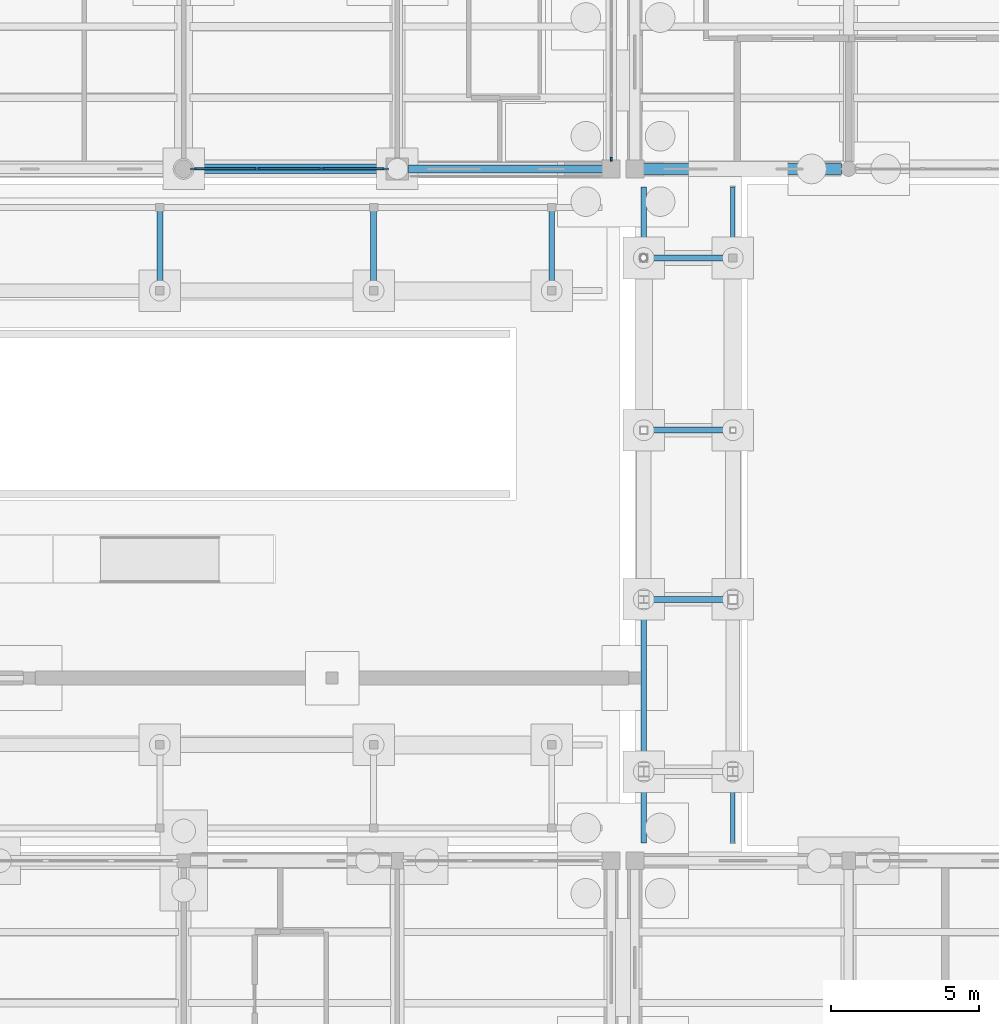
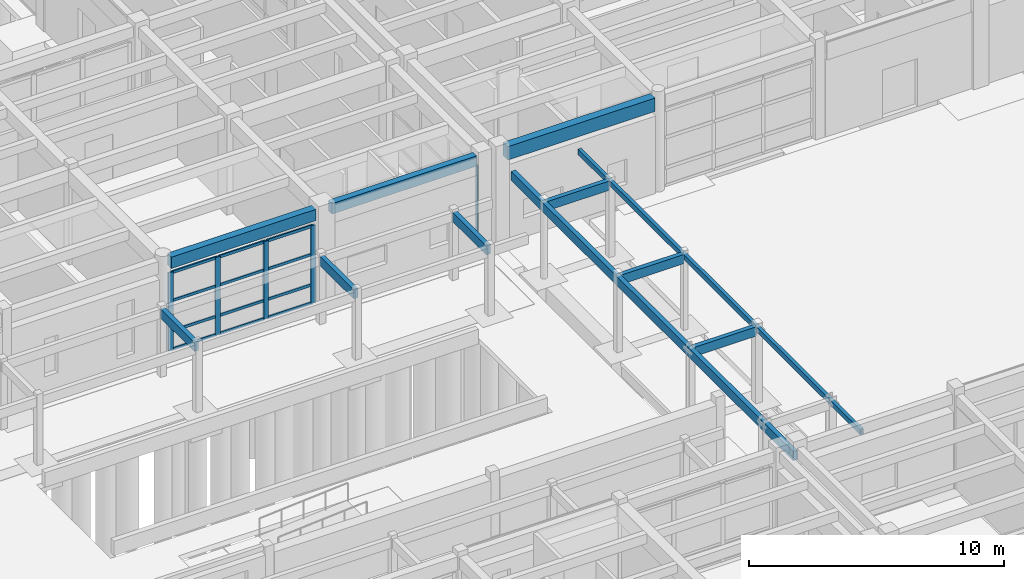
# One storey, part 55 of 143: 17 members, 11 beams, 2 elements without a shape of their own.
"""IFC4 building model written with IfcOpenShell, lengths in metres."""

from ifc_helpers import new_model, si_unit, direction, frame, origin, origin_2d, place, context, subcontext, project, spatial, rectangle, hollow_rectangle, extrude, material, material_profile, profile_set, type_object, element, aggregate, save


model = new_model("IFC4")

# Units and contexts
model_context = context("Model", 3, precision=1e-05, world=origin(), true_north=direction((0.0, 1.0)))
body_context = subcontext(model_context, "Body", "Model", "MODEL_VIEW")
ifc_project = project(units=[si_unit("LENGTHUNIT", "METRE"), si_unit("AREAUNIT", "SQUARE_METRE"), si_unit("VOLUMEUNIT", "CUBIC_METRE"), si_unit("PLANEANGLEUNIT", "RADIAN"), si_unit("MASSUNIT", "GRAM", prefix="KILO")], contexts=[model_context])

# Site, building, storey
site_placement = place(None, origin())
site = spatial("IfcSite", under=ifc_project, at=site_placement, CompositionType="ELEMENT")
building_placement = place(site_placement, origin())
building = spatial("IfcBuilding", under=site, at=building_placement, Name="Steenspoor Specialist Clinic", CompositionType="ELEMENT")
storey_placement = place(building_placement, origin())
storey = spatial("IfcBuildingStorey", under=building, at=storey_placement, Name="L00", CompositionType="ELEMENT", Elevation=0.0)

# Beams
ifc_material_1 = material(Name="Glulam GL28h", Category="wood")
ifc_material_profile_1 = material_profile(ifc_material_1, rectangle(XDim=0.199951171875, YDim=0.43994140625, at=origin_2d()), Name="GL28H-200X440")
ifc_profile_set_1 = profile_set([ifc_material_profile_1], Name="Glulam GL28h")
beam_type_1 = type_object("IfcBeamType", Name="BM-GL-200X440", PredefinedType="BEAM", material=ifc_profile_set_1)
beam_1_placement = place(storey_placement, frame((118.300048828125, 42.449951171875, 3.4150390625), z_axis=(0.0, 1.0, 0.0), x_axis=(-1.0, 0.0, 0.0)))
element("IfcBeam", 1, at=beam_1_placement, inside=storey, type_object=beam_type_1, Name="BM-WK2-CONT-0", PredefinedType="BEAM", context=body_context, shape_type="SweptSolid", body=[
    extrude(rectangle(XDim=0.199951171875, YDim=0.43994140625, at=origin_2d()), origin(), (0.0, 0.0, 1.0), 22.10009765625),
])
for number, where, z_axis, x_axis, name in (
    (2, (118.3798828125, 50.64990234375, 3.4150390625), (1.0, 0.0, 0.0), (0.0, 1.0, 0.0), "BM-WK2-T-506"),
    (3, (118.3798828125, 56.35009765625, 3.4150390625), (1.0, 0.0, 0.0), (0.0, 1.0, 0.0), "BM-WK2-T-563"),
    (4, (118.3798828125, 62.14990234375, 3.4150390625), (1.0, 0.0, 0.0), (0.0, 1.0, 0.0), "BM-WK2-T-621"),
):
    element("IfcBeam", number, at=place(storey_placement, frame(where, z_axis=z_axis, x_axis=x_axis)), inside=storey, type_object=beam_type_1, Name=name, PredefinedType="BEAM", context=body_context, shape_type="SweptSolid", body=[
        extrude(rectangle(XDim=0.199951171875, YDim=0.43994140625, at=origin_2d()), origin(), (0.0, 0.0, 1.0), 2.840087890625),
    ])
for number, where, z_axis, x_axis, name in (
    (5, (102.0, 61.1298828125, 3.014892578125), (0.0, 1.0, 0.0), (-1.0, 0.0, 0.0), "BM-WK4-T-1020"),
    (6, (109.199951171875, 61.1298828125, 3.014892578125), (0.0, 1.0, 0.0), (-1.0, 0.0, 0.0), "BM-WK4-T-1092"),
    (7, (115.199951171875, 61.1298828125, 3.014892578125), (0.0, 1.0, 0.0), (-1.0, 0.0, 0.0), "BM-WK4-T-1152"),
):
    element("IfcBeam", number, at=place(storey_placement, frame(where, z_axis=z_axis, x_axis=x_axis)), inside=storey, type_object=beam_type_1, Name=name, PredefinedType="BEAM", context=body_context, shape_type="SweptSolid", body=[
        extrude(rectangle(XDim=0.199951171875, YDim=0.43994140625, at=origin_2d()), origin(), (0.0, 0.0, 1.0), 2.64013671875),
    ])
ifc_material_2 = material(Name="Steel A500 Grade C", Category="steel")
ifc_material_profile_2 = material_profile(ifc_material_2, hollow_rectangle(XDim=0.15234375, YDim=0.25390625, WallThickness=0.0087890625, at=origin_2d()), Name="HSS254X152X9.5")
ifc_profile_set_2 = profile_set([ifc_material_profile_2], Name="Steel A500 Grade C")
beam_type_2 = type_object("IfcBeamType", Name="BM-ST-HSS254", PredefinedType="SPANDREL", material=ifc_profile_set_2)
beam_2_placement = place(storey_placement, frame((121.300048828125, 42.449951171875, 3.508056640625), z_axis=(0.0, 1.0, 0.0), x_axis=(-1.0, 0.0, 0.0)))
element("IfcBeam", 8, at=beam_2_placement, inside=storey, type_object=beam_type_2, Name="BM-WK2-CONT-1", PredefinedType="SPANDREL", context=body_context, shape_type="SweptSolid", body=[
    extrude(hollow_rectangle(XDim=0.15234375, YDim=0.25390625, WallThickness=0.0087890625, at=origin_2d()), origin(), (0.0, 0.0, 1.0), 22.10009765625),
])

# Curtain wall, member
ifc_material_3 = material(Name="Thermally broken aluminium and low-emissivity glass", Category="aluminium")
curtain_wall_type_1 = type_object("IfcCurtainWallType", Name="CW-L00-660X415", PredefinedType="USERDEFINED", material=ifc_material_3)
curtain_wall_1_placement = place(storey_placement, origin())
curtain_wall_1 = element("IfcCurtainWall", 9, at=curtain_wall_1_placement, inside=storey, type_object=curtain_wall_type_1, Name="Unitised Curtain Wall CW-V4-L00-052", ObjectType="UNITISED GLAZING", PredefinedType="USERDEFINED")
ifc_material_4 = material(Name="Thermally broken aluminium 6063-T6", Category="aluminium")
ifc_material_profile_3 = material_profile(ifc_material_4, rectangle(XDim=0.06005859375, YDim=0.135009765625, at=origin_2d()), Name="CWM-60X135")
ifc_profile_set_3 = profile_set([ifc_material_profile_3], Name="Thermally broken aluminium 6063-T6")
member_type_1 = type_object("IfcMemberType", Name="CW-MULL-60X135", PredefinedType="MULLION", material=ifc_profile_set_3)
member_1_placement = place(storey_placement, frame((117.199951171875, 65.47998046875, 0.0), z_axis=(0.0, 0.0, 1.0), x_axis=(1.0, 0.0, 0.0)))
member_1 = element("IfcMember", 10, at=member_1_placement, type_object=member_type_1, Name="CW-04 mullion 4", PredefinedType="MULLION", context=body_context, shape_type="SweptSolid", body=[
    extrude(rectangle(XDim=0.06005859375, YDim=0.135009765625, at=origin_2d()), origin(), (0.0, 0.0, 1.0), 3.72998046875),
])
aggregate(curtain_wall_1, [member_1])

# Curtain wall, members
curtain_wall_type_2 = type_object("IfcCurtainWallType", Name="CW-SCR-480X320", PredefinedType="USERDEFINED", material=ifc_material_3)
curtain_wall_2_placement = place(storey_placement, origin())
curtain_wall_2 = element("IfcCurtainWall", 11, at=curtain_wall_2_placement, inside=storey, type_object=curtain_wall_type_2, Name="Unitised Curtain Wall CW-V4-L00-042", ObjectType="UNITISED GLAZING", PredefinedType="USERDEFINED")
ifc_material_profile_4 = material_profile(ifc_material_4, rectangle(XDim=0.080078125, YDim=0.219970703125, at=origin_2d()), Name="CWM-80X220")
ifc_profile_set_4 = profile_set([ifc_material_profile_4], Name="Thermally broken aluminium 6063-T6")
member_type_2 = type_object("IfcMemberType", Name="CW-MULL-80X220", PredefinedType="MULLION", material=ifc_profile_set_4)
member_2_placement = place(storey_placement, frame((109.5849609375, 65.14990234375, 0.0), z_axis=(0.0, 0.0, 1.0), x_axis=(0.0, -1.0, 0.0)))
member_2 = element("IfcMember", 12, at=member_2_placement, type_object=member_type_2, Name="CW-18 mullion 1", PredefinedType="MULLION", context=body_context, shape_type="SweptSolid", body=[
    extrude(rectangle(XDim=0.080078125, YDim=0.219970703125, at=origin_2d()), origin(), (0.0, 0.0, 1.0), 3.72998046875),
])
member_3_placement = place(storey_placement, frame((107.449951171875, 65.14990234375, 0.0), z_axis=(0.0, 0.0, 1.0), x_axis=(0.0, -1.0, 0.0)))
member_3 = element("IfcMember", 13, at=member_3_placement, type_object=member_type_2, Name="CW-18 mullion 2", PredefinedType="MULLION", context=body_context, shape_type="SweptSolid", body=[
    extrude(rectangle(XDim=0.080078125, YDim=0.219970703125, at=origin_2d()), origin(), (0.0, 0.0, 1.0), 3.72998046875),
])
member_4_placement = place(storey_placement, frame((105.27490234375, 65.14990234375, 0.0), z_axis=(0.0, 0.0, 1.0), x_axis=(0.0, -1.0, 0.0)))
member_4 = element("IfcMember", 14, at=member_4_placement, type_object=member_type_2, Name="CW-18 mullion 3", PredefinedType="MULLION", context=body_context, shape_type="SweptSolid", body=[
    extrude(rectangle(XDim=0.080078125, YDim=0.219970703125, at=origin_2d()), origin(), (0.0, 0.0, 1.0), 3.72998046875),
])
member_5_placement = place(storey_placement, frame((103.139892578125, 65.14990234375, 0.0), z_axis=(0.0, 0.0, 1.0), x_axis=(0.0, -1.0, 0.0)))
member_5 = element("IfcMember", 15, at=member_5_placement, type_object=member_type_2, Name="CW-18 mullion 4", PredefinedType="MULLION", context=body_context, shape_type="SweptSolid", body=[
    extrude(rectangle(XDim=0.080078125, YDim=0.219970703125, at=origin_2d()), origin(), (0.0, 0.0, 1.0), 3.72998046875),
])
ifc_material_profile_5 = material_profile(ifc_material_4, rectangle(XDim=0.06494140625, YDim=0.1298828125, at=origin_2d()), Name="CWT-65X130")
ifc_profile_set_5 = profile_set([ifc_material_profile_5], Name="Thermally broken aluminium 6063-T6")
member_type_3 = type_object("IfcMemberType", Name="CW-TRAN-65X130", PredefinedType="USERDEFINED", material=ifc_profile_set_5)
member_6_placement = place(storey_placement, frame((109.544921875, 65.14990234375, 0.032470703125), z_axis=(-1.0, 0.0, 0.0), x_axis=(0.0, -1.0, 0.0)))
member_6 = element("IfcMember", 16, at=member_6_placement, type_object=member_type_3, Name="CW-18 transom 1.1", ObjectType="TRANSOM", PredefinedType="USERDEFINED", context=body_context, shape_type="SweptSolid", body=[
    extrude(rectangle(XDim=0.06494140625, YDim=0.1298828125, at=origin_2d()), origin(), (0.0, 0.0, 1.0), 2.054931640625),
])
member_7_placement = place(storey_placement, frame((109.544921875, 65.14990234375, 0.89990234375), z_axis=(-1.0, 0.0, 0.0), x_axis=(0.0, -1.0, 0.0)))
member_7 = element("IfcMember", 17, at=member_7_placement, type_object=member_type_3, Name="CW-18 transom 1.2", ObjectType="TRANSOM", PredefinedType="USERDEFINED", context=body_context, shape_type="SweptSolid", body=[
    extrude(rectangle(XDim=0.06494140625, YDim=0.1298828125, at=origin_2d()), origin(), (0.0, 0.0, 1.0), 2.054931640625),
])
member_8_placement = place(storey_placement, frame((109.544921875, 65.14990234375, 2.35009765625), z_axis=(-1.0, 0.0, 0.0), x_axis=(0.0, -1.0, 0.0)))
member_8 = element("IfcMember", 18, at=member_8_placement, type_object=member_type_3, Name="CW-18 transom 1.3", ObjectType="TRANSOM", PredefinedType="USERDEFINED", context=body_context, shape_type="SweptSolid", body=[
    extrude(rectangle(XDim=0.06494140625, YDim=0.1298828125, at=origin_2d()), origin(), (0.0, 0.0, 1.0), 2.054931640625),
])
member_9_placement = place(storey_placement, frame((109.544921875, 65.14990234375, 3.697509765625), z_axis=(-1.0, 0.0, 0.0), x_axis=(0.0, -1.0, 0.0)))
member_9 = element("IfcMember", 19, at=member_9_placement, type_object=member_type_3, Name="CW-18 transom 1.4", ObjectType="TRANSOM", PredefinedType="USERDEFINED", context=body_context, shape_type="SweptSolid", body=[
    extrude(rectangle(XDim=0.06494140625, YDim=0.1298828125, at=origin_2d()), origin(), (0.0, 0.0, 1.0), 2.054931640625),
])
member_10_placement = place(storey_placement, frame((107.409912109375, 65.14990234375, 0.032470703125), z_axis=(-1.0, 0.0, 0.0), x_axis=(0.0, -1.0, 0.0)))
member_10 = element("IfcMember", 20, at=member_10_placement, type_object=member_type_3, Name="CW-18 transom 2.1", ObjectType="TRANSOM", PredefinedType="USERDEFINED", context=body_context, shape_type="SweptSolid", body=[
    extrude(rectangle(XDim=0.06494140625, YDim=0.1298828125, at=origin_2d()), origin(), (0.0, 0.0, 1.0), 2.094970703125),
])
member_11_placement = place(storey_placement, frame((107.409912109375, 65.14990234375, 0.89990234375), z_axis=(-1.0, 0.0, 0.0), x_axis=(0.0, -1.0, 0.0)))
member_11 = element("IfcMember", 21, at=member_11_placement, type_object=member_type_3, Name="CW-18 transom 2.2", ObjectType="TRANSOM", PredefinedType="USERDEFINED", context=body_context, shape_type="SweptSolid", body=[
    extrude(rectangle(XDim=0.06494140625, YDim=0.1298828125, at=origin_2d()), origin(), (0.0, 0.0, 1.0), 2.094970703125),
])
member_12_placement = place(storey_placement, frame((107.409912109375, 65.14990234375, 2.35009765625), z_axis=(-1.0, 0.0, 0.0), x_axis=(0.0, -1.0, 0.0)))
member_12 = element("IfcMember", 22, at=member_12_placement, type_object=member_type_3, Name="CW-18 transom 2.3", ObjectType="TRANSOM", PredefinedType="USERDEFINED", context=body_context, shape_type="SweptSolid", body=[
    extrude(rectangle(XDim=0.06494140625, YDim=0.1298828125, at=origin_2d()), origin(), (0.0, 0.0, 1.0), 2.094970703125),
])
member_13_placement = place(storey_placement, frame((107.409912109375, 65.14990234375, 3.697509765625), z_axis=(-1.0, 0.0, 0.0), x_axis=(0.0, -1.0, 0.0)))
member_13 = element("IfcMember", 23, at=member_13_placement, type_object=member_type_3, Name="CW-18 transom 2.4", ObjectType="TRANSOM", PredefinedType="USERDEFINED", context=body_context, shape_type="SweptSolid", body=[
    extrude(rectangle(XDim=0.06494140625, YDim=0.1298828125, at=origin_2d()), origin(), (0.0, 0.0, 1.0), 2.094970703125),
])
member_14_placement = place(storey_placement, frame((105.235107421875, 65.14990234375, 0.032470703125), z_axis=(-1.0, 0.0, 0.0), x_axis=(0.0, -1.0, 0.0)))
member_14 = element("IfcMember", 24, at=member_14_placement, type_object=member_type_3, Name="CW-18 transom 3.1", ObjectType="TRANSOM", PredefinedType="USERDEFINED", context=body_context, shape_type="SweptSolid", body=[
    extrude(rectangle(XDim=0.06494140625, YDim=0.1298828125, at=origin_2d()), origin(), (0.0, 0.0, 1.0), 2.05517578125),
])
member_15_placement = place(storey_placement, frame((105.235107421875, 65.14990234375, 0.89990234375), z_axis=(-1.0, 0.0, 0.0), x_axis=(0.0, -1.0, 0.0)))
member_15 = element("IfcMember", 25, at=member_15_placement, type_object=member_type_3, Name="CW-18 transom 3.2", ObjectType="TRANSOM", PredefinedType="USERDEFINED", context=body_context, shape_type="SweptSolid", body=[
    extrude(rectangle(XDim=0.06494140625, YDim=0.1298828125, at=origin_2d()), origin(), (0.0, 0.0, 1.0), 2.05517578125),
])
member_16_placement = place(storey_placement, frame((105.235107421875, 65.14990234375, 2.35009765625), z_axis=(-1.0, 0.0, 0.0), x_axis=(0.0, -1.0, 0.0)))
member_16 = element("IfcMember", 26, at=member_16_placement, type_object=member_type_3, Name="CW-18 transom 3.3", ObjectType="TRANSOM", PredefinedType="USERDEFINED", context=body_context, shape_type="SweptSolid", body=[
    extrude(rectangle(XDim=0.06494140625, YDim=0.1298828125, at=origin_2d()), origin(), (0.0, 0.0, 1.0), 2.05517578125),
])
member_17_placement = place(storey_placement, frame((105.235107421875, 65.14990234375, 3.697509765625), z_axis=(-1.0, 0.0, 0.0), x_axis=(0.0, -1.0, 0.0)))
member_17 = element("IfcMember", 27, at=member_17_placement, type_object=member_type_3, Name="CW-18 transom 3.4", ObjectType="TRANSOM", PredefinedType="USERDEFINED", context=body_context, shape_type="SweptSolid", body=[
    extrude(rectangle(XDim=0.06494140625, YDim=0.1298828125, at=origin_2d()), origin(), (0.0, 0.0, 1.0), 2.05517578125),
])
aggregate(curtain_wall_2, [member_2, member_3, member_4, member_5, member_6, member_7, member_8, member_9, member_10, member_11, member_12, member_13, member_14, member_15, member_16, member_17])

# Beams
ifc_material_5 = material(Name="Concrete C35/45", Category="concrete")
ifc_material_profile_6 = material_profile(ifc_material_5, rectangle(XDim=0.280029296875, YDim=0.5, at=origin_2d()), Name="RC-SP-280X500")
ifc_profile_set_6 = profile_set([ifc_material_profile_6], Name="Concrete C35/45")
beam_type_3 = type_object("IfcBeamType", Name="SP-RC-280X500", PredefinedType="SPANDREL", material=ifc_profile_set_6)
beam_3_placement = place(storey_placement, frame((110.3701171875, 65.14990234375, 4.300048828125), z_axis=(1.0, 0.0, 0.0), x_axis=(0.0, 1.0, 0.0)))
element("IfcBeam", 28, at=beam_3_placement, inside=storey, type_object=beam_type_3, Name="BM-V4-L00-X0294", PredefinedType="SPANDREL", context=body_context, shape_type="SweptSolid", body=[
    extrude(rectangle(XDim=0.280029296875, YDim=0.5, at=origin_2d()), origin(), (0.0, 0.0, 1.0), 6.534912109375),
])
ifc_material_profile_7 = material_profile(ifc_material_5, rectangle(XDim=0.320068359375, YDim=0.5400390625, at=origin_2d()), Name="RC-SP-320X540")
ifc_profile_set_7 = profile_set([ifc_material_profile_7], Name="Concrete C35/45")
beam_type_4 = type_object("IfcBeamType", Name="SP-RC-320X540", PredefinedType="SPANDREL", material=ifc_profile_set_7)
beam_4_placement = place(storey_placement, frame((103.094970703125, 65.14990234375, 4.280029296875), z_axis=(1.0, 0.0, 0.0), x_axis=(0.0, 1.0, 0.0)))
element("IfcBeam", 29, at=beam_4_placement, inside=storey, type_object=beam_type_4, Name="BM-V4-L00-X0293", PredefinedType="SPANDREL", context=body_context, shape_type="SweptSolid", body=[
    extrude(rectangle(XDim=0.320068359375, YDim=0.5400390625, at=origin_2d()), origin(), (0.0, 0.0, 1.0), 6.534912109375),
])
ifc_material_profile_8 = material_profile(ifc_material_5, rectangle(XDim=0.360107421875, YDim=0.639892578125, at=origin_2d()), Name="RC-SP-360X640")
ifc_profile_set_8 = profile_set([ifc_material_profile_8], Name="Concrete C35/45")
beam_type_5 = type_object("IfcBeamType", Name="SP-RC-360X640", PredefinedType="SPANDREL", material=ifc_profile_set_8)
beam_5_placement = place(storey_placement, frame((118.294921875, 65.14990234375, 4.199951171875), z_axis=(1.0, 0.0, 0.0), x_axis=(0.0, 1.0, 0.0)))
element("IfcBeam", 30, at=beam_5_placement, inside=storey, type_object=beam_type_5, Name="BM-V6-L00-X1356", PredefinedType="SPANDREL", context=body_context, shape_type="SweptSolid", body=[
    extrude(rectangle(XDim=0.360107421875, YDim=0.639892578125, at=origin_2d()), origin(), (0.0, 0.0, 1.0), 6.66015625),
])

save(model, "model.ifc")
